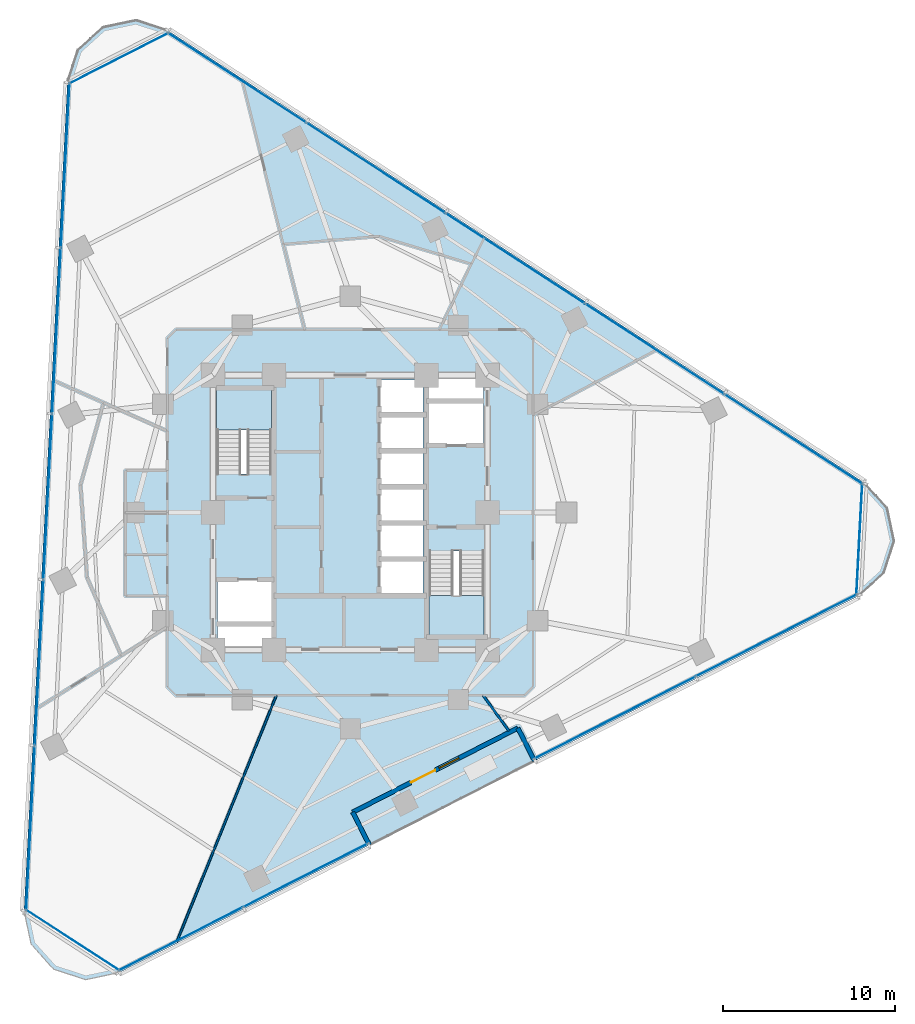
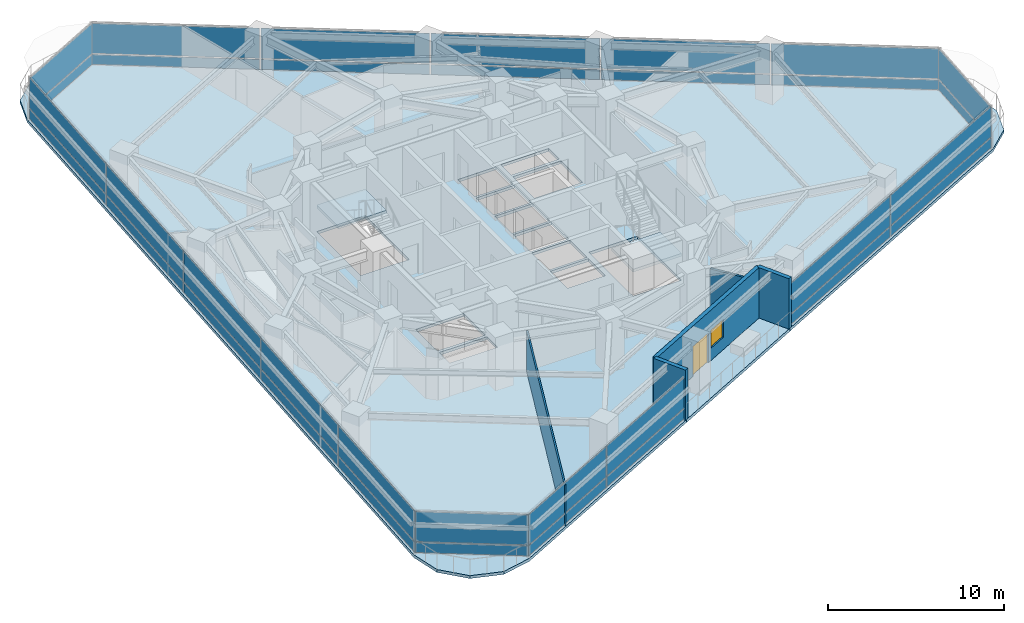
# One storey, part 7 of 14: 34 plates, 5 walls, 4 slabs, 1 door, 1 window, 2 openings, 9 elements without a shape of their own.
"""IFC4 building model written with IfcOpenShell, lengths in metres."""

from ifc_helpers import new_model, si_unit, direction, frame, frame_2d, origin, origin_2d, place, context, subcontext, project, spatial, polyline, rectangle, outline, extrude, material, layer, layer_set, type_object, element, fill, aggregate, save


model = new_model("IFC4")

# Units and contexts
model_context = context("Model", 3, precision=1e-05, world=origin(), true_north=direction((0.0, 1.0)))
body_context = subcontext(model_context, "Body", "Model", "MODEL_VIEW")
ifc_project = project(units=[si_unit("LENGTHUNIT", "METRE"), si_unit("AREAUNIT", "SQUARE_METRE"), si_unit("VOLUMEUNIT", "CUBIC_METRE"), si_unit("PLANEANGLEUNIT", "RADIAN"), si_unit("MASSUNIT", "GRAM", prefix="KILO")], contexts=[model_context])

# Site, building, storey
site_placement = place(None, origin())
site = spatial("IfcSite", under=ifc_project, at=site_placement, CompositionType="ELEMENT")
building_placement = place(site_placement, origin())
building = spatial("IfcBuilding", under=site, at=building_placement, Name="Terralouvre Media Tower", CompositionType="ELEMENT")
storey_placement = place(building_placement, frame((0.0, 0.0, 131.0)))
storey = spatial("IfcBuildingStorey", under=building, at=storey_placement, Name="L33", CompositionType="ELEMENT", Elevation=131.0)

# Slabs
ifc_material_1 = material(Name="Concrete C40/50", Category="concrete")
ifc_layer_1 = layer(ifc_material_1, 0.199951171875, Name="Composite Tower Floor Slab S-TYP200")
ifc_layer_set_1 = layer_set([ifc_layer_1], Name="Concrete C40/50")
slab_type_1 = type_object("IfcSlabType", Name="Composite Tower Floor Slab S-TYP200", PredefinedType="FLOOR", material=ifc_layer_set_1)
slab_1_placement = place(storey_placement, frame((0.0, 0.0, -0.199951171875), z_axis=(0.0, 0.0, 1.0), x_axis=(0.891006524188, 0.45399049974, 0.0)))
element("IfcSlab", 1, at=slab_1_placement, inside=storey, type_object=slab_type_1, Name="L33 Structural Floor Slab", PredefinedType="FLOOR", context=body_context, shape_type="SweptSolid", body=[
    extrude(outline(polyline([(-24.199951171875, -17.77197265625), (-7.800048828125, -17.77197265625), (-7.800048828125, -15.621826171875), (3.0, -15.621826171875), (3.0, -17.77197265625), (24.199951171875, -17.77197265625), (26.10009765625, -17.2626953125), (27.490966796875, -15.871826171875), (28.0, -13.971923828125), (27.490966796875, -12.07177734375), (3.291015625, 29.84375), (1.89990234375, 31.234619140625), (0.0, 31.74365234375), (-1.89990234375, 31.234619140625), (-3.291015625, 29.84375), (-27.490966796875, -12.07177734375), (-28.0, -13.971923828125), (-27.490966796875, -15.871826171875), (-26.10009765625, -17.2626953125), (-24.199951171875, -17.77197265625)]), holes=[polyline([(-7.094970703125, -3.792236328125), (-7.6396484375, -4.861572265625), (-10.446533203125, -3.431396484375), (-9.901611328125, -2.3623046875), (-7.094970703125, -3.792236328125)]), polyline([(-7.004150390625, -3.614013671875), (-9.810791015625, -2.18408203125), (-8.698486328125, -0.0009765625), (-5.891845703125, -1.43115234375), (-7.004150390625, -3.614013671875)]), polyline([(4.504150390625, -0.521728515625), (2.276611328125, 0.61328125), (3.1572265625, 2.341796875), (5.384765625, 1.206787109375), (4.504150390625, -0.521728515625)]), polyline([(6.338134765625, 3.077880859375), (5.45751953125, 1.349365234375), (3.22998046875, 2.484375), (4.110595703125, 4.212890625), (6.338134765625, 3.077880859375)]), polyline([(-3.079345703125, 4.088623046875), (-5.912841796875, 5.532470703125), (-3.635986328125, 10.000732421875), (-0.802734375, 8.55712890625), (-3.079345703125, 4.088623046875)]), polyline([(6.410888671875, 3.220458984375), (4.183349609375, 4.35546875), (5.06396484375, 6.083984375), (7.29150390625, 4.94921875), (6.410888671875, 3.220458984375)]), polyline([(0.802734375, -8.55712890625), (3.079345703125, -4.088623046875), (5.912841796875, -5.532470703125), (3.635986328125, -10.000732421875), (0.802734375, -8.55712890625)]), polyline([(1.64404296875, -6.135009765625), (-0.58349609375, -5.0), (0.297119140625, -3.271484375), (2.524658203125, -4.406494140625), (1.64404296875, -6.135009765625)]), polyline([(2.597412109375, -4.263916015625), (0.369873046875, -3.12890625), (1.25048828125, -1.400390625), (3.47802734375, -2.535400390625), (2.597412109375, -4.263916015625)]), polyline([(4.431396484375, -0.664306640625), (3.55078125, -2.392822265625), (1.3232421875, -1.2578125), (2.203857421875, 0.470703125), (4.431396484375, -0.664306640625)]), polyline([(8.698486328125, 0.0009765625), (5.891845703125, 1.43115234375), (7.004150390625, 3.614013671875), (9.810791015625, 2.18408203125), (8.698486328125, 0.0009765625)]), polyline([(9.901611328125, 2.3623046875), (7.094970703125, 3.792236328125), (7.6396484375, 4.861572265625), (10.446533203125, 3.431396484375), (9.901611328125, 2.3623046875)])]), origin(), (0.0, 0.0, 1.0), 0.199951171875),
])
ifc_material_2 = material(Name="Concrete C45/55", Category="concrete")
ifc_layer_2 = layer(ifc_material_2, 0.2099609375, Name="Planted Sky-Garden External Deck S-TER210")
ifc_layer_set_2 = layer_set([ifc_layer_2], Name="Concrete C45/55")
slab_type_2 = type_object("IfcSlabType", Name="Planted Sky-Garden External Deck S-TER210", PredefinedType="FLOOR", material=ifc_layer_set_2)
slab_2_placement = place(storey_placement, frame((0.0, 0.0, -0.2099609375), z_axis=(0.0, 0.0, 1.0), x_axis=(0.891006524188, 0.45399049974, 0.0)))
element("IfcSlab", 2, at=slab_2_placement, inside=storey, type_object=slab_type_2, Name="L33 Helical Planted Sky-Garden Deck 07", PredefinedType="FLOOR", context=body_context, shape_type="SweptSolid", body=[
    extrude(outline(polyline([(-7.800048828125, -17.77197265625), (3.0, -17.77197265625), (3.0, -15.621826171875), (-7.800048828125, -15.621826171875), (-7.800048828125, -17.77197265625)])), origin(), (0.0, 0.0, 1.0), 0.2099609375),
])

# Stair, slab
ifc_material_3 = material(Name="Concrete C45/55", Category="concrete")
stair_type_1 = type_object("IfcStairType", Name="Dogleg Stair Assembly ST-01", PredefinedType="HALF_TURN_STAIR", material=ifc_material_3)
stair_1_placement = place(storey_placement, origin())
stair_1 = element("IfcStair", 3, at=stair_1_placement, inside=storey, type_object=stair_type_1, Name="L33 Core Pressurised Exit Stair ST-01", PredefinedType="HALF_TURN_STAIR")
ifc_material_4 = material(Name="Concrete C45/55", Category="concrete")
ifc_layer_3 = layer(ifc_material_4, 0.199951171875, Name="Reinforced Concrete Stair Half-Landing SL-LD1")
ifc_layer_set_3 = layer_set([ifc_layer_3], Name="Concrete C45/55")
slab_type_3 = type_object("IfcSlabType", Name="Reinforced Concrete Stair Half-Landing SL-LD1", PredefinedType="LANDING", material=ifc_layer_set_3)
slab_3_placement = place(storey_placement, frame((0.0, 0.0, 1.64990234375)))
slab_3 = element("IfcSlab", 4, at=slab_3_placement, type_object=slab_type_3, Name="ST-01 landing 1", PredefinedType="LANDING", context=body_context, shape_type="SweptSolid", body=[
    extrude(outline(polyline([(-4.60009765625, 4.820068359375), (-4.60009765625, 7.260009765625), (-7.780029296875, 7.260009765625), (-7.780029296875, 4.820068359375), (-4.60009765625, 4.820068359375)])), origin(), (0.0, 0.0, 1.0), 0.2001953125),
])
aggregate(stair_1, [slab_3])

ifc_material_5 = material(Name="Concrete C45/55", Category="concrete")
stair_type_2 = type_object("IfcStairType", Name="Dogleg Stair Assembly ST-02", PredefinedType="HALF_TURN_STAIR", material=ifc_material_5)
stair_2_placement = place(storey_placement, origin())
stair_2 = element("IfcStair", 5, at=stair_2_placement, inside=storey, type_object=stair_type_2, Name="L33 Core Pressurised Exit Stair ST-02", PredefinedType="HALF_TURN_STAIR")
slab_4_placement = place(storey_placement, frame((0.0, 0.0, 1.64990234375)))
slab_4 = element("IfcSlab", 6, at=slab_4_placement, type_object=slab_type_3, Name="ST-02 landing 1", PredefinedType="LANDING", context=body_context, shape_type="SweptSolid", body=[
    extrude(outline(polyline([(4.60009765625, -4.820068359375), (4.60009765625, -7.260009765625), (7.780029296875, -7.260009765625), (7.780029296875, -4.820068359375), (4.60009765625, -4.820068359375)])), origin(), (0.0, 0.0, 1.0), 0.2001953125),
])
aggregate(stair_2, [slab_4])

# Curtain wall, plates
ifc_material_6 = material(Name="Low-iron laminated double glazing with solar-control coating", Category="glass")
ifc_layer_4 = layer(ifc_material_6, 0.1650390625, Name="Rounded Wind-Corner Curved Glazing CW-04")
ifc_layer_set_4 = layer_set([ifc_layer_4], Name="Low-iron laminated double glazing with solar-control coating")
curtain_wall_type_1 = type_object("IfcCurtainWallType", Name="Rounded Wind-Corner Curved Glazing CW-04", PredefinedType="NOTDEFINED", material=ifc_layer_set_4)
curtain_wall_1_placement = place(storey_placement, origin())
curtain_wall_1 = element("IfcCurtainWall", 7, at=curtain_wall_1_placement, inside=storey, type_object=curtain_wall_type_1, Name="L33 Rounded Wind-Corner Curtain Wall C0", PredefinedType="NOTDEFINED")
ifc_material_7 = material(Name="Low-iron laminated double glazing with solar-control coating", Category="glass")
ifc_layer_5 = layer(ifc_material_7, 0.0400390625, Name="Rounded Corner Laminated Vision Panel CWP-03")
ifc_layer_set_5 = layer_set([ifc_layer_5], Name="Low-iron laminated double glazing with solar-control coating")
plate_type_1 = type_object("IfcPlateType", Name="Rounded Corner Laminated Vision Panel CWP-03", PredefinedType="CURTAIN_PANEL", material=ifc_layer_set_5)
plate_1_placement = place(storey_placement, frame((-16.177734375, -24.91162109375, 0.074951171875), z_axis=(0.0, 0.0, 1.0), x_axis=(0.838670390568, -0.544639308152, 0.0)))
plate_1 = element("IfcPlate", 8, at=plate_1_placement, type_object=plate_type_1, Name="CW-04 panel 1.1", PredefinedType="CURTAIN_PANEL", context=body_context, shape_type="SweptSolid", body=[
    extrude(rectangle(XDim=6.431884765625, YDim=0.035888671875, at=origin_2d()), origin(), (0.0, 0.0, 1.0), 0.6875),
])
plate_2_placement = place(storey_placement, frame((-16.177734375, -24.91162109375, 0.837646484375), z_axis=(0.0, 0.0, 1.0), x_axis=(0.838670390568, -0.544639308152, 0.0)))
plate_2 = element("IfcPlate", 9, at=plate_2_placement, type_object=plate_type_1, Name="CW-04 panel 1.2", PredefinedType="CURTAIN_PANEL", context=body_context, shape_type="SweptSolid", body=[
    extrude(rectangle(XDim=6.431884765625, YDim=0.035888671875, at=origin_2d()), origin(), (0.0, 0.0, 1.0), 2.08740234375),
])
aggregate(curtain_wall_1, [plate_1, plate_2])

curtain_wall_2_placement = place(storey_placement, origin())
curtain_wall_2 = element("IfcCurtainWall", 10, at=curtain_wall_2_placement, inside=storey, type_object=curtain_wall_type_1, Name="L33 Rounded Wind-Corner Curtain Wall C1", PredefinedType="NOTDEFINED")
plate_3_placement = place(storey_placement, frame((29.6630859375, -1.5546875, 0.074951171875), z_axis=(0.0, 0.0, 1.0), x_axis=(0.052336823006, 0.998629489329, 0.0)))
plate_3 = element("IfcPlate", 11, at=plate_3_placement, type_object=plate_type_1, Name="CW-04 panel 1.1", PredefinedType="CURTAIN_PANEL", context=body_context, shape_type="SweptSolid", body=[
    extrude(rectangle(XDim=6.431884765625, YDim=0.035888671875, at=origin_2d()), origin(), (0.0, 0.0, 1.0), 0.6875),
])
plate_4_placement = place(storey_placement, frame((29.6630859375, -1.5546875, 0.837646484375), z_axis=(0.0, 0.0, 1.0), x_axis=(0.052336823006, 0.998629489329, 0.0)))
plate_4 = element("IfcPlate", 12, at=plate_4_placement, type_object=plate_type_1, Name="CW-04 panel 1.2", PredefinedType="CURTAIN_PANEL", context=body_context, shape_type="SweptSolid", body=[
    extrude(rectangle(XDim=6.431884765625, YDim=0.035888671875, at=origin_2d()), origin(), (0.0, 0.0, 1.0), 2.08740234375),
])
aggregate(curtain_wall_2, [plate_3, plate_4])

curtain_wall_3_placement = place(storey_placement, origin())
curtain_wall_3 = element("IfcCurtainWall", 13, at=curtain_wall_3_placement, inside=storey, type_object=curtain_wall_type_1, Name="L33 Rounded Wind-Corner Curtain Wall C2", PredefinedType="NOTDEFINED")
plate_5_placement = place(storey_placement, frame((-13.485107421875, 26.46630859375, 0.074951171875), z_axis=(0.0, 0.0, 1.0), x_axis=(-0.891006600184, -0.45399035059, 0.0)))
plate_5 = element("IfcPlate", 14, at=plate_5_placement, type_object=plate_type_1, Name="CW-04 panel 1.1", PredefinedType="CURTAIN_PANEL", context=body_context, shape_type="SweptSolid", body=[
    extrude(rectangle(XDim=6.431884765625, YDim=0.035888671875, at=origin_2d()), origin(), (0.0, 0.0, 1.0), 0.6875),
])
plate_6_placement = place(storey_placement, frame((-13.485107421875, 26.46630859375, 0.837646484375), z_axis=(0.0, 0.0, 1.0), x_axis=(-0.891006600184, -0.45399035059, 0.0)))
plate_6 = element("IfcPlate", 15, at=plate_6_placement, type_object=plate_type_1, Name="CW-04 panel 1.2", PredefinedType="CURTAIN_PANEL", context=body_context, shape_type="SweptSolid", body=[
    extrude(rectangle(XDim=6.431884765625, YDim=0.035888671875, at=origin_2d()), origin(), (0.0, 0.0, 1.0), 2.08740234375),
])
aggregate(curtain_wall_3, [plate_5, plate_6])

ifc_material_8 = material(Name="Low-iron laminated double glazing with solar-control coating", Category="glass")
ifc_layer_6 = layer(ifc_material_8, 0.1650390625, Name="Production Studio Tower Curtain Wall CW-03")
ifc_layer_set_6 = layer_set([ifc_layer_6], Name="Low-iron laminated double glazing with solar-control coating")
curtain_wall_type_2 = type_object("IfcCurtainWallType", Name="Production Studio Tower Curtain Wall CW-03", PredefinedType="NOTDEFINED", material=ifc_layer_set_6)
curtain_wall_4_placement = place(storey_placement, origin())
curtain_wall_4 = element("IfcCurtainWall", 16, at=curtain_wall_4_placement, inside=storey, type_object=curtain_wall_type_2, Name="L33 Left Flank Curtain Wall F0", PredefinedType="NOTDEFINED")
ifc_material_9 = material(Name="Low-iron laminated double glazing with solar-control coating", Category="glass")
ifc_layer_7 = layer(ifc_material_9, 0.035888671875, Name="Vision Double-Glazed Unit CWP-01")
ifc_layer_set_7 = layer_set([ifc_layer_7], Name="Low-iron laminated double glazing with solar-control coating")
plate_type_2 = type_object("IfcPlateType", Name="Vision Double-Glazed Unit CWP-01", PredefinedType="CURTAIN_PANEL", material=ifc_layer_set_7)
plate_7_placement = place(storey_placement, frame((-9.878662109375, -24.8447265625, 0.074951171875), z_axis=(0.0, 0.0, 1.0), x_axis=(0.891006665419, 0.453990222559, 0.0)))
plate_7 = element("IfcPlate", 17, at=plate_7_placement, type_object=plate_type_2, Name="CW-03 panel 1.1", PredefinedType="CURTAIN_PANEL", context=body_context, shape_type="SweptSolid", body=[
    extrude(rectangle(XDim=8.08740234375, YDim=0.035888671875, at=origin_2d()), origin(), (0.0, 0.0, 1.0), 0.6875),
])
plate_8_placement = place(storey_placement, frame((-9.878662109375, -24.8447265625, 0.837646484375), z_axis=(0.0, 0.0, 1.0), x_axis=(0.891006665419, 0.453990222559, 0.0)))
plate_8 = element("IfcPlate", 18, at=plate_8_placement, type_object=plate_type_2, Name="CW-03 panel 1.2", PredefinedType="CURTAIN_PANEL", context=body_context, shape_type="SweptSolid", body=[
    extrude(rectangle(XDim=8.08740234375, YDim=0.035888671875, at=origin_2d()), origin(), (0.0, 0.0, 1.0), 2.08740234375),
])
plate_9_placement = place(storey_placement, frame((-2.60595703125, -21.138916015625, 0.074951171875), z_axis=(0.0, 0.0, 1.0), x_axis=(0.891006665419, 0.453990222559, 0.0)))
plate_9 = element("IfcPlate", 19, at=plate_9_placement, type_object=plate_type_2, Name="CW-03 panel 2.1", PredefinedType="CURTAIN_PANEL", context=body_context, shape_type="SweptSolid", body=[
    extrude(rectangle(XDim=8.08740234375, YDim=0.035888671875, at=origin_2d()), origin(), (0.0, 0.0, 1.0), 0.6875),
])
plate_10_placement = place(storey_placement, frame((-2.60595703125, -21.138916015625, 0.837646484375), z_axis=(0.0, 0.0, 1.0), x_axis=(0.891006665419, 0.453990222559, 0.0)))
plate_10 = element("IfcPlate", 20, at=plate_10_placement, type_object=plate_type_2, Name="CW-03 panel 2.2", PredefinedType="CURTAIN_PANEL", context=body_context, shape_type="SweptSolid", body=[
    extrude(rectangle(XDim=8.08740234375, YDim=0.035888671875, at=origin_2d()), origin(), (0.0, 0.0, 1.0), 2.08740234375),
])
aggregate(curtain_wall_4, [plate_7, plate_8, plate_9, plate_10])

curtain_wall_5_placement = place(storey_placement, origin())
curtain_wall_5 = element("IfcCurtainWall", 21, at=curtain_wall_5_placement, inside=storey, type_object=curtain_wall_type_2, Name="L33 Right Flank Curtain Wall F0", PredefinedType="NOTDEFINED")
plate_11_placement = place(storey_placement, frame((15.42578125, -11.951416015625, 0.074951171875), z_axis=(0.0, 0.0, 1.0), x_axis=(0.89100612853, 0.453991276263, 0.0)))
plate_11 = element("IfcPlate", 22, at=plate_11_placement, type_object=plate_type_2, Name="CW-03 panel 1.1", PredefinedType="CURTAIN_PANEL", context=body_context, shape_type="SweptSolid", body=[
    extrude(rectangle(XDim=10.487548828125, YDim=0.035888671875, at=origin_2d()), origin(), (0.0, 0.0, 1.0), 0.6875),
])
plate_12_placement = place(storey_placement, frame((15.42578125, -11.951416015625, 0.837646484375), z_axis=(0.0, 0.0, 1.0), x_axis=(0.89100612853, 0.453991276263, 0.0)))
plate_12 = element("IfcPlate", 23, at=plate_12_placement, type_object=plate_type_2, Name="CW-03 panel 1.2", PredefinedType="CURTAIN_PANEL", context=body_context, shape_type="SweptSolid", body=[
    extrude(rectangle(XDim=10.487548828125, YDim=0.035888671875, at=origin_2d()), origin(), (0.0, 0.0, 1.0), 2.08740234375),
])
plate_13_placement = place(storey_placement, frame((24.837158203125, -7.156005859375, 0.074951171875), z_axis=(0.0, 0.0, 1.0), x_axis=(0.89100612853, 0.453991276263, 0.0)))
plate_13 = element("IfcPlate", 24, at=plate_13_placement, type_object=plate_type_2, Name="CW-03 panel 2.1", PredefinedType="CURTAIN_PANEL", context=body_context, shape_type="SweptSolid", body=[
    extrude(rectangle(XDim=10.487548828125, YDim=0.035888671875, at=origin_2d()), origin(), (0.0, 0.0, 1.0), 0.6875),
])
plate_14_placement = place(storey_placement, frame((24.837158203125, -7.156005859375, 0.837646484375), z_axis=(0.0, 0.0, 1.0), x_axis=(0.89100612853, 0.453991276263, 0.0)))
plate_14 = element("IfcPlate", 25, at=plate_14_placement, type_object=plate_type_2, Name="CW-03 panel 2.2", PredefinedType="CURTAIN_PANEL", context=body_context, shape_type="SweptSolid", body=[
    extrude(rectangle(XDim=10.487548828125, YDim=0.035888671875, at=origin_2d()), origin(), (0.0, 0.0, 1.0), 2.08740234375),
])
aggregate(curtain_wall_5, [plate_11, plate_12, plate_13, plate_14])

curtain_wall_6_placement = place(storey_placement, origin())
curtain_wall_6 = element("IfcCurtainWall", 26, at=curtain_wall_6_placement, inside=storey, type_object=curtain_wall_type_2, Name="L33 Facade Curtain Wall F1", PredefinedType="NOTDEFINED")
plate_15_placement = place(storey_placement, frame((25.8349609375, 4.27001953125, 0.074951171875), z_axis=(0.0, 0.0, 1.0), x_axis=(-0.838670588944, 0.544639002681, 0.0)))
plate_15 = element("IfcPlate", 27, at=plate_15_placement, type_object=plate_type_2, Name="CW-03 panel 1.1", PredefinedType="CURTAIN_PANEL", context=body_context, shape_type="SweptSolid", body=[
    extrude(rectangle(XDim=9.5673828125, YDim=0.035888671875, at=origin_2d()), origin(), (0.0, 0.0, 1.0), 0.6875),
])
plate_16_placement = place(storey_placement, frame((25.8349609375, 4.27001953125, 0.837646484375), z_axis=(0.0, 0.0, 1.0), x_axis=(-0.838670588944, 0.544639002681, 0.0)))
plate_16 = element("IfcPlate", 28, at=plate_16_placement, type_object=plate_type_2, Name="CW-03 panel 1.2", PredefinedType="CURTAIN_PANEL", context=body_context, shape_type="SweptSolid", body=[
    extrude(rectangle(XDim=9.5673828125, YDim=0.035888671875, at=origin_2d()), origin(), (0.0, 0.0, 1.0), 2.08740234375),
])
plate_17_placement = place(storey_placement, frame((17.732177734375, 9.531982421875, 0.074951171875), z_axis=(0.0, 0.0, 1.0), x_axis=(-0.838670588944, 0.544639002681, 0.0)))
plate_17 = element("IfcPlate", 29, at=plate_17_placement, type_object=plate_type_2, Name="CW-03 panel 2.1", PredefinedType="CURTAIN_PANEL", context=body_context, shape_type="SweptSolid", body=[
    extrude(rectangle(XDim=9.60498046875, YDim=0.035888671875, at=origin_2d()), origin(), (0.0, 0.0, 1.0), 0.6875),
])
plate_18_placement = place(storey_placement, frame((17.732177734375, 9.531982421875, 0.837646484375), z_axis=(0.0, 0.0, 1.0), x_axis=(-0.838670588944, 0.544639002681, 0.0)))
plate_18 = element("IfcPlate", 30, at=plate_18_placement, type_object=plate_type_2, Name="CW-03 panel 2.2", PredefinedType="CURTAIN_PANEL", context=body_context, shape_type="SweptSolid", body=[
    extrude(rectangle(XDim=9.60498046875, YDim=0.035888671875, at=origin_2d()), origin(), (0.0, 0.0, 1.0), 2.08740234375),
])
plate_19_placement = place(storey_placement, frame((9.614013671875, 14.80419921875, 0.074951171875), z_axis=(0.0, 0.0, 1.0), x_axis=(-0.838670588944, 0.544639002681, 0.0)))
plate_19 = element("IfcPlate", 31, at=plate_19_placement, type_object=plate_type_2, Name="CW-03 panel 3.1", PredefinedType="CURTAIN_PANEL", context=body_context, shape_type="SweptSolid", body=[
    extrude(rectangle(XDim=9.60498046875, YDim=0.035888671875, at=origin_2d()), origin(), (0.0, 0.0, 1.0), 0.6875),
])
plate_20_placement = place(storey_placement, frame((9.614013671875, 14.80419921875, 0.837646484375), z_axis=(0.0, 0.0, 1.0), x_axis=(-0.838670588944, 0.544639002681, 0.0)))
plate_20 = element("IfcPlate", 32, at=plate_20_placement, type_object=plate_type_2, Name="CW-03 panel 3.2", PredefinedType="CURTAIN_PANEL", context=body_context, shape_type="SweptSolid", body=[
    extrude(rectangle(XDim=9.60498046875, YDim=0.035888671875, at=origin_2d()), origin(), (0.0, 0.0, 1.0), 2.08740234375),
])
plate_21_placement = place(storey_placement, frame((1.49560546875, 20.076171875, 0.074951171875), z_axis=(0.0, 0.0, 1.0), x_axis=(-0.838670588944, 0.544639002681, 0.0)))
plate_21 = element("IfcPlate", 33, at=plate_21_placement, type_object=plate_type_2, Name="CW-03 panel 4.1", PredefinedType="CURTAIN_PANEL", context=body_context, shape_type="SweptSolid", body=[
    extrude(rectangle(XDim=9.60498046875, YDim=0.035888671875, at=origin_2d()), origin(), (0.0, 0.0, 1.0), 0.6875),
])
plate_22_placement = place(storey_placement, frame((1.49560546875, 20.076171875, 0.837646484375), z_axis=(0.0, 0.0, 1.0), x_axis=(-0.838670588944, 0.544639002681, 0.0)))
plate_22 = element("IfcPlate", 34, at=plate_22_placement, type_object=plate_type_2, Name="CW-03 panel 4.2", PredefinedType="CURTAIN_PANEL", context=body_context, shape_type="SweptSolid", body=[
    extrude(rectangle(XDim=9.60498046875, YDim=0.035888671875, at=origin_2d()), origin(), (0.0, 0.0, 1.0), 2.08740234375),
])
plate_23_placement = place(storey_placement, frame((-6.60693359375, 25.338134765625, 0.074951171875), z_axis=(0.0, 0.0, 1.0), x_axis=(-0.838670588944, 0.544639002681, 0.0)))
plate_23 = element("IfcPlate", 35, at=plate_23_placement, type_object=plate_type_2, Name="CW-03 panel 5.1", PredefinedType="CURTAIN_PANEL", context=body_context, shape_type="SweptSolid", body=[
    extrude(rectangle(XDim=9.5673828125, YDim=0.035888671875, at=origin_2d()), origin(), (0.0, 0.0, 1.0), 0.6875),
])
plate_24_placement = place(storey_placement, frame((-6.60693359375, 25.338134765625, 0.837646484375), z_axis=(0.0, 0.0, 1.0), x_axis=(-0.838670588944, 0.544639002681, 0.0)))
plate_24 = element("IfcPlate", 36, at=plate_24_placement, type_object=plate_type_2, Name="CW-03 panel 5.2", PredefinedType="CURTAIN_PANEL", context=body_context, shape_type="SweptSolid", body=[
    extrude(rectangle(XDim=9.5673828125, YDim=0.035888671875, at=origin_2d()), origin(), (0.0, 0.0, 1.0), 2.08740234375),
])
aggregate(curtain_wall_6, [plate_15, plate_16, plate_17, plate_18, plate_19, plate_20, plate_21, plate_22, plate_23, plate_24])

curtain_wall_7_placement = place(storey_placement, origin())
curtain_wall_7 = element("IfcCurtainWall", 37, at=curtain_wall_7_placement, inside=storey, type_object=curtain_wall_type_2, Name="L33 Facade Curtain Wall F2", PredefinedType="NOTDEFINED")
plate_25_placement = place(storey_placement, frame((-16.615478515625, 20.238525390625, 0.074951171875), z_axis=(0.0, 0.0, 1.0), x_axis=(-0.052335949864, -0.998629535089, 0.0)))
plate_25 = element("IfcPlate", 38, at=plate_25_placement, type_object=plate_type_2, Name="CW-03 panel 1.1", PredefinedType="CURTAIN_PANEL", context=body_context, shape_type="SweptSolid", body=[
    extrude(rectangle(XDim=9.5673828125, YDim=0.035888671875, at=origin_2d()), origin(), (0.0, 0.0, 1.0), 0.6875),
])
plate_26_placement = place(storey_placement, frame((-16.615478515625, 20.238525390625, 0.837646484375), z_axis=(0.0, 0.0, 1.0), x_axis=(-0.052335949864, -0.998629535089, 0.0)))
plate_26 = element("IfcPlate", 39, at=plate_26_placement, type_object=plate_type_2, Name="CW-03 panel 1.2", PredefinedType="CURTAIN_PANEL", context=body_context, shape_type="SweptSolid", body=[
    extrude(rectangle(XDim=9.5673828125, YDim=0.035888671875, at=origin_2d()), origin(), (0.0, 0.0, 1.0), 2.08740234375),
])
plate_27_placement = place(storey_placement, frame((-17.12109375, 10.590576171875, 0.074951171875), z_axis=(0.0, 0.0, 1.0), x_axis=(-0.052335949864, -0.998629535089, 0.0)))
plate_27 = element("IfcPlate", 40, at=plate_27_placement, type_object=plate_type_2, Name="CW-03 panel 2.1", PredefinedType="CURTAIN_PANEL", context=body_context, shape_type="SweptSolid", body=[
    extrude(rectangle(XDim=9.60498046875, YDim=0.035888671875, at=origin_2d()), origin(), (0.0, 0.0, 1.0), 0.6875),
])
plate_28_placement = place(storey_placement, frame((-17.12109375, 10.590576171875, 0.837646484375), z_axis=(0.0, 0.0, 1.0), x_axis=(-0.052335949864, -0.998629535089, 0.0)))
plate_28 = element("IfcPlate", 41, at=plate_28_placement, type_object=plate_type_2, Name="CW-03 panel 2.2", PredefinedType="CURTAIN_PANEL", context=body_context, shape_type="SweptSolid", body=[
    extrude(rectangle(XDim=9.60498046875, YDim=0.035888671875, at=origin_2d()), origin(), (0.0, 0.0, 1.0), 2.08740234375),
])
plate_29_placement = place(storey_placement, frame((-17.627685546875, 0.923828125, 0.074951171875), z_axis=(0.0, 0.0, 1.0), x_axis=(-0.052335949864, -0.998629535089, 0.0)))
plate_29 = element("IfcPlate", 42, at=plate_29_placement, type_object=plate_type_2, Name="CW-03 panel 3.1", PredefinedType="CURTAIN_PANEL", context=body_context, shape_type="SweptSolid", body=[
    extrude(rectangle(XDim=9.60498046875, YDim=0.035888671875, at=origin_2d()), origin(), (0.0, 0.0, 1.0), 0.6875),
])
plate_30_placement = place(storey_placement, frame((-17.627685546875, 0.923828125, 0.837646484375), z_axis=(0.0, 0.0, 1.0), x_axis=(-0.052335949864, -0.998629535089, 0.0)))
plate_30 = element("IfcPlate", 43, at=plate_30_placement, type_object=plate_type_2, Name="CW-03 panel 3.2", PredefinedType="CURTAIN_PANEL", context=body_context, shape_type="SweptSolid", body=[
    extrude(rectangle(XDim=9.60498046875, YDim=0.035888671875, at=origin_2d()), origin(), (0.0, 0.0, 1.0), 2.08740234375),
])
plate_31_placement = place(storey_placement, frame((-18.13427734375, -8.742919921875, 0.074951171875), z_axis=(0.0, 0.0, 1.0), x_axis=(-0.052335949864, -0.998629535089, 0.0)))
plate_31 = element("IfcPlate", 44, at=plate_31_placement, type_object=plate_type_2, Name="CW-03 panel 4.1", PredefinedType="CURTAIN_PANEL", context=body_context, shape_type="SweptSolid", body=[
    extrude(rectangle(XDim=9.60498046875, YDim=0.035888671875, at=origin_2d()), origin(), (0.0, 0.0, 1.0), 0.6875),
])
plate_32_placement = place(storey_placement, frame((-18.13427734375, -8.742919921875, 0.837646484375), z_axis=(0.0, 0.0, 1.0), x_axis=(-0.052335949864, -0.998629535089, 0.0)))
plate_32 = element("IfcPlate", 45, at=plate_32_placement, type_object=plate_type_2, Name="CW-03 panel 4.2", PredefinedType="CURTAIN_PANEL", context=body_context, shape_type="SweptSolid", body=[
    extrude(rectangle(XDim=9.60498046875, YDim=0.035888671875, at=origin_2d()), origin(), (0.0, 0.0, 1.0), 2.08740234375),
])
plate_33_placement = place(storey_placement, frame((-18.639892578125, -18.390869140625, 0.074951171875), z_axis=(0.0, 0.0, 1.0), x_axis=(-0.052335949864, -0.998629535089, 0.0)))
plate_33 = element("IfcPlate", 46, at=plate_33_placement, type_object=plate_type_2, Name="CW-03 panel 5.1", PredefinedType="CURTAIN_PANEL", context=body_context, shape_type="SweptSolid", body=[
    extrude(rectangle(XDim=9.5673828125, YDim=0.035888671875, at=origin_2d()), origin(), (0.0, 0.0, 1.0), 0.6875),
])
plate_34_placement = place(storey_placement, frame((-18.639892578125, -18.390869140625, 0.837646484375), z_axis=(0.0, 0.0, 1.0), x_axis=(-0.052335949864, -0.998629535089, 0.0)))
plate_34 = element("IfcPlate", 47, at=plate_34_placement, type_object=plate_type_2, Name="CW-03 panel 5.2", PredefinedType="CURTAIN_PANEL", context=body_context, shape_type="SweptSolid", body=[
    extrude(rectangle(XDim=9.5673828125, YDim=0.035888671875, at=origin_2d()), origin(), (0.0, 0.0, 1.0), 2.08740234375),
])
aggregate(curtain_wall_7, [plate_25, plate_26, plate_27, plate_28, plate_29, plate_30, plate_31, plate_32, plate_33, plate_34])

# Walls
ifc_material_10 = material(Name="Low-iron laminated double glazing with solar-control coating", Category="glass")
ifc_layer_8 = layer(ifc_material_10, 0.10009765625, Name="Demountable Glazed Office Partition PT-GL100")
ifc_layer_set_8 = layer_set([ifc_layer_8], Name="Low-iron laminated double glazing with solar-control coating")
wall_type_1 = type_object("IfcWallType", Name="Demountable Glazed Office Partition PT-GL100", PredefinedType="MOVABLE", material=ifc_layer_set_8)
wall_1_placement = place(storey_placement, frame((-10.101806640625, -25.003173828125, 0.0), z_axis=(0.0, 0.0, 1.0), x_axis=(0.374591600556, 0.927189911935, 0.0)))
element("IfcWall", 48, at=wall_1_placement, inside=storey, type_object=wall_type_1, Name="L33 Interior Partition 034", PredefinedType="MOVABLE", context=body_context, shape_type="SweptSolid", body=[
    extrude(rectangle(XDim=15.48046875, YDim=0.10009765625, at=frame_2d((7.740234375, 0.0))), origin(), (0.0, 0.0, 1.0), 2.784912109375),
])
ifc_material_11 = material(Name="Fire-rated gypsum board drywall partition")
ifc_layer_9 = layer(ifc_material_11, 0.135009765625, Name="Newsroom Acoustic Partition PT-135")
ifc_layer_set_9 = layer_set([ifc_layer_9], Name="Fire-rated gypsum board drywall partition")
wall_type_2 = type_object("IfcWallType", Name="Newsroom Acoustic Partition PT-135", PredefinedType="PARTITIONING", material=ifc_layer_set_9)
wall_2_placement = place(storey_placement, frame((9.248779296875, -12.730712890625, 0.0), z_axis=(0.0, 0.0, 1.0), x_axis=(-0.587516644322, 0.809212081376, 0.0)))
element("IfcWall", 49, at=wall_2_placement, inside=storey, type_object=wall_type_2, Name="L33 Interior Partition 035", PredefinedType="PARTITIONING", context=body_context, shape_type="SweptSolid", body=[
    extrude(rectangle(XDim=2.5712890625, YDim=0.135009765625, at=frame_2d((1.28564453125, 0.0))), origin(), (0.0, 0.0, 1.0), 2.885009765625),
])

# Wall, openings, window, door
ifc_material_12 = material(Name="Kiln-fired architectural terracotta rainscreen cladding", Category="masonry")
ifc_layer_10 = layer(ifc_material_12, 0.260009765625, Name="Recessed Sky-Garden Acoustic Wall EW-SG260")
ifc_layer_set_10 = layer_set([ifc_layer_10], Name="Kiln-fired architectural terracotta rainscreen cladding")
wall_type_3 = type_object("IfcWallType", Name="Recessed Sky-Garden Acoustic Wall EW-SG260", PredefinedType="SOLIDWALL", material=ifc_layer_set_10)
wall_3_placement = place(storey_placement, frame((0.142333984375, -17.460205078125, 0.0), z_axis=(0.0, 0.0, 1.0), x_axis=(0.891006026667, 0.453991476178, 0.0)))
wall_3 = element("IfcWall", 50, at=wall_3_placement, inside=storey, type_object=wall_type_3, Name="L33 SG Recessed Loggia Back Wall", PredefinedType="SOLIDWALL", context=body_context, shape_type="SweptSolid", body=[
    extrude(rectangle(XDim=10.800048828125, YDim=0.260009765625, at=frame_2d((5.39990234375, 0.0))), origin(), (0.0, 0.0, 1.0), 3.5),
])
opening_1_placement = place(wall_3_placement, frame((3.800048828125, 0.0, 0.0)))
opening_1 = element("IfcOpeningElement", 51, at=opening_1_placement, cuts=wall_3, Name="Opening TD-01", PredefinedType="OPENING", context=body_context, shape_type="SweptSolid", body=[
    extrude(rectangle(XDim=1.60009765625, YDim=2.080078125, at=frame_2d((0.800048828125, 1.0400390625))), frame((0.0, 0.139892578125, 0.0), z_axis=(0.0, -1.0, 0.0), x_axis=(1.0, 0.0, 0.0)), (0.0, 0.0, 1.0), 0.280029296875),
])
opening_2_placement = place(wall_3_placement, frame((5.64990234375, 0.0, 0.85009765625)))
opening_2 = element("IfcOpeningElement", 52, at=opening_2_placement, cuts=wall_3, Name="Opening W-03", PredefinedType="OPENING", context=body_context, shape_type="SweptSolid", body=[
    extrude(rectangle(XDim=1.300048828125, YDim=1.25, at=frame_2d((0.64990234375, 0.625))), frame((0.0, 0.139892578125, 0.0), z_axis=(0.0, -1.0, 0.0), x_axis=(1.0, 0.0, 0.0)), (0.0, 0.0, 1.0), 0.280029296875),
])
ifc_material_13 = material(Name="Low-iron laminated double glazing with solar-control coating", Category="glass")
window_type = type_object("IfcWindowType", Name="Sky-Garden Loggia Window W-03", PartitioningType="SINGLE_PANEL", PredefinedType="WINDOW", material=ifc_material_13)
window_placement = place(opening_2_placement, origin())
window = element("IfcWindow", 53, at=window_placement, inside=storey, type_object=window_type, Name="L33 Pocket Loggia Window 1", OverallHeight=1.25, OverallWidth=1.300048828125, PartitioningType="SINGLE_PANEL", PredefinedType="WINDOW", context=body_context, shape_type="SweptSolid", body=[
    extrude(rectangle(XDim=1.300048828125, YDim=1.25, at=frame_2d((0.64990234375, 0.625))), frame((0.0, 0.030029296875, 0.0), z_axis=(0.0, -1.0, 0.0), x_axis=(1.0, 0.0, 0.0)), (0.0, 0.0, 1.0), 0.06005859375),
])
fill(opening_2, window)
ifc_material_14 = material(Name="Anodised extruded aluminium 6063-T6", Category="aluminium")
door_type = type_object("IfcDoorType", Name="Sky-Garden Terrace Double Door TD-01", OperationType="DOUBLE_DOOR_SLIDING", PredefinedType="DOOR", material=ifc_material_14)
door_placement = place(opening_1_placement, frame((1.60009765625, 0.0, 0.0), z_axis=(0.0, 0.0, 1.0), x_axis=(-1.0, 0.0, 0.0)))
door = element("IfcDoor", 54, at=door_placement, inside=storey, type_object=door_type, Name="L33 Sky-Garden Terrace Door", OperationType="DOUBLE_DOOR_SLIDING", OverallHeight=2.080078125, OverallWidth=1.60009765625, PredefinedType="DOOR", context=body_context, shape_type="SweptSolid", body=[
    extrude(rectangle(XDim=1.60009765625, YDim=2.080078125, at=frame_2d((0.800048828125, 1.0400390625))), frame((0.0, 0.02490234375, 0.0), z_axis=(0.0, -1.0, 0.0), x_axis=(1.0, 0.0, 0.0)), (0.0, 0.0, 1.0), 0.050048828125),
])
fill(opening_1, door)

# Walls
for number, where, z_axis, x_axis, name in (
    (55, (1.118408203125, -19.3759765625, 0.0), (0.0, 0.0, 1.0), (-0.453968305556, 0.891017832341, 0.0), "L33 SG Pocket Left Cheek Wall"),
    (56, (9.76513671875, -12.55712890625, 0.0), (0.0, 0.0, 1.0), (0.453968305556, -0.891017832341, 0.0), "L33 SG Pocket Right Cheek Wall"),
):
    element("IfcWall", number, at=place(storey_placement, frame(where, z_axis=z_axis, x_axis=x_axis)), inside=storey, type_object=wall_type_3, Name=name, PredefinedType="SOLIDWALL", context=body_context, shape_type="SweptSolid", body=[
        extrude(rectangle(XDim=2.150146484375, YDim=0.260009765625, at=frame_2d((1.0751953125, 0.0))), origin(), (0.0, 0.0, 1.0), 3.5),
    ])

save(model, "model.ifc")
